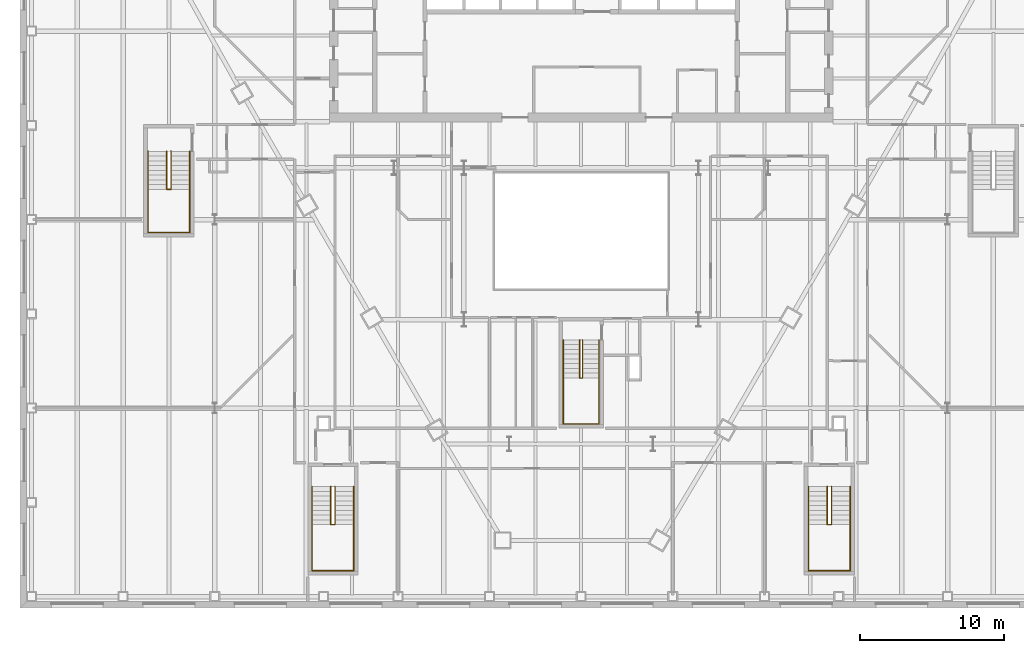
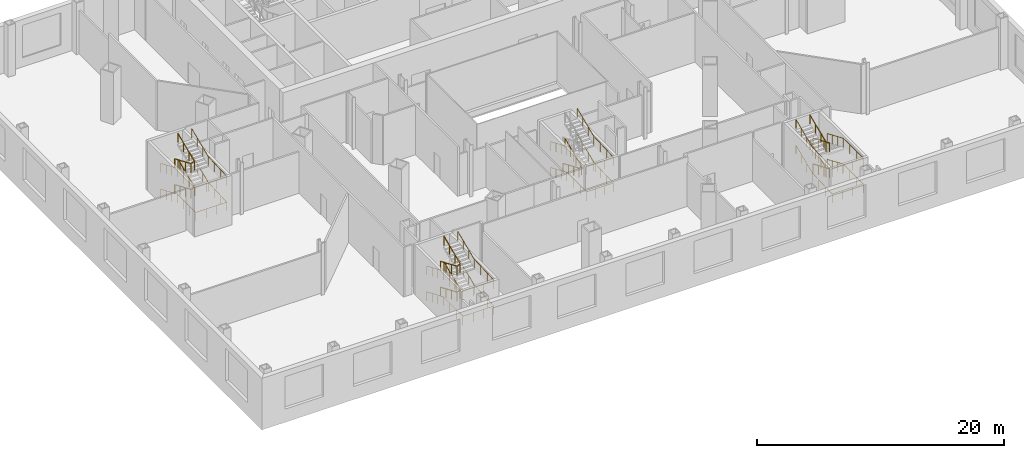
# One storey, part 19 of 20: 15 railings.
"""IFC4 building model written with IfcOpenShell, lengths in metres."""

from ifc_helpers import new_model, si_unit, direction, frame, origin, origin_2d, place, context, subcontext, project, spatial, circle, extrude, material, type_object, element, save


model = new_model("IFC4")

# Units and contexts
model_context = context("Model", 3, precision=1e-05, world=origin(), true_north=direction((0.0, 1.0)))
body_context = subcontext(model_context, "Body", "Model", "MODEL_VIEW")
ifc_project = project(units=[si_unit("LENGTHUNIT", "METRE"), si_unit("AREAUNIT", "SQUARE_METRE"), si_unit("VOLUMEUNIT", "CUBIC_METRE"), si_unit("PLANEANGLEUNIT", "RADIAN"), si_unit("MASSUNIT", "GRAM", prefix="KILO")], contexts=[model_context])

# Site, building, storey
site_placement = place(None, origin())
site = spatial("IfcSite", under=ifc_project, at=site_placement, CompositionType="ELEMENT")
building_placement = place(site_placement, origin())
building = spatial("IfcBuilding", under=site, at=building_placement, Name="Njiva Tower", CompositionType="ELEMENT")
storey_placement = place(building_placement, frame((0.0, 0.0, 18.6)))
storey = spatial("IfcBuildingStorey", under=building, at=storey_placement, Name="L03", CompositionType="ELEMENT", Elevation=18.6)

# Railings
ifc_material = material(Name="Stainless steel", Category="steel")
railing_type = type_object("IfcRailingType", Name="RL1 Stair handrail 900", PredefinedType="HANDRAIL", material=ifc_material)
railing_1_placement = place(storey_placement, frame((-1.25, -15.16, 0.1417)))
element("IfcRailing", 1, at=railing_1_placement, inside=storey, type_object=railing_type, Name="Stair C handrail", PredefinedType="HANDRAIL", context=body_context, shape_type="SweptSolid", body=[
    extrude(circle(Radius=0.024, at=origin_2d()), frame((0.0, 0.0, 0.876), z_axis=(0.0, -0.918909016762, 0.394469541173), x_axis=(1.0, 0.0, 0.0)), (0.0, 0.0, 1.0), 2.873),
    extrude(circle(Radius=0.024, at=origin_2d()), frame((0.0, -2.64, 2.0093), z_axis=(0.0, -1.0, 0.0), x_axis=(1.0, 0.0, 0.0)), (0.0, 0.0, 1.0), 3.2),
    extrude(circle(Radius=0.024, at=origin_2d()), frame((0.0, -5.84, 2.0093), z_axis=(1.0, 0.0, 0.0), x_axis=(0.0, 1.0, 0.0)), (0.0, 0.0, 1.0), 2.5),
    extrude(circle(Radius=0.024, at=origin_2d()), frame((2.5, -5.84, 2.0093), z_axis=(0.0, 0.999021024916, 0.04423789976), x_axis=(-1.0, 0.0, 0.0)), (0.0, 0.0, 1.0), 3.2031),
    extrude(circle(Radius=0.024, at=origin_2d()), frame((2.5, -2.64, 2.151), z_axis=(0.0, 0.918909016762, 0.394469541173), x_axis=(-1.0, 0.0, 0.0)), (0.0, 0.0, 1.0), 2.873),
    extrude(circle(Radius=0.021, at=origin_2d()), origin(), (0.0, 0.0, 1.0), 0.852),
    extrude(circle(Radius=0.021, at=origin_2d()), frame((0.0, -0.88, 0.3778)), (0.0, 0.0, 1.0), 0.852),
    extrude(circle(Radius=0.021, at=origin_2d()), frame((0.0, -1.76, 0.7555)), (0.0, 0.0, 1.0), 0.852),
    extrude(circle(Radius=0.021, at=origin_2d()), frame((0.0, -2.64, 1.1333)), (0.0, 0.0, 1.0), 0.852),
    extrude(circle(Radius=0.021, at=origin_2d()), frame((0.0, -3.7067, 1.1333)), (0.0, 0.0, 1.0), 0.852),
    extrude(circle(Radius=0.021, at=origin_2d()), frame((0.0, -4.7733, 1.1333)), (0.0, 0.0, 1.0), 0.852),
    extrude(circle(Radius=0.021, at=origin_2d()), frame((0.0, -5.84, 1.1333)), (0.0, 0.0, 1.0), 0.852),
    extrude(circle(Radius=0.021, at=origin_2d()), frame((0.8333, -5.84, 1.1333)), (0.0, 0.0, 1.0), 0.852),
    extrude(circle(Radius=0.021, at=origin_2d()), frame((1.6667, -5.84, 1.1333)), (0.0, 0.0, 1.0), 0.852),
    extrude(circle(Radius=0.021, at=origin_2d()), frame((2.5, -5.84, 1.1333)), (0.0, 0.0, 1.0), 0.852),
    extrude(circle(Radius=0.021, at=origin_2d()), frame((2.5, -4.7733, 1.1805)), (0.0, 0.0, 1.0), 0.852),
    extrude(circle(Radius=0.021, at=origin_2d()), frame((2.5, -3.7067, 1.2278)), (0.0, 0.0, 1.0), 0.852),
    extrude(circle(Radius=0.021, at=origin_2d()), frame((2.5, -2.64, 1.275)), (0.0, 0.0, 1.0), 0.852),
    extrude(circle(Radius=0.021, at=origin_2d()), frame((2.5, -1.76, 1.6528)), (0.0, 0.0, 1.0), 0.852),
    extrude(circle(Radius=0.021, at=origin_2d()), frame((2.5, -0.88, 2.0305)), (0.0, 0.0, 1.0), 0.852),
    extrude(circle(Radius=0.021, at=origin_2d()), frame((2.5, 0.0, 2.4083)), (0.0, 0.0, 1.0), 0.852),
])
railing_2_placement = place(storey_placement, frame((-0.1, -15.16, 0.1417)))
element("IfcRailing", 2, at=railing_2_placement, inside=storey, type_object=railing_type, Name="Stair C handrail", PredefinedType="HANDRAIL", context=body_context, shape_type="SweptSolid", body=[
    extrude(circle(Radius=0.024, at=origin_2d()), frame((0.0, 0.0, 0.876), z_axis=(0.0, -0.918909016762, 0.394469541173), x_axis=(1.0, 0.0, 0.0)), (0.0, 0.0, 1.0), 2.873),
    extrude(circle(Radius=0.024, at=origin_2d()), frame((0.0, -2.64, 2.0093), z_axis=(0.815960331218, 0.0, 0.578107894668), x_axis=(0.0, 1.0, 0.0)), (0.0, 0.0, 1.0), 0.2451),
    extrude(circle(Radius=0.024, at=origin_2d()), frame((0.2, -2.64, 2.151), z_axis=(0.0, 0.918909016762, 0.394469541173), x_axis=(-1.0, 0.0, 0.0)), (0.0, 0.0, 1.0), 2.873),
    extrude(circle(Radius=0.021, at=origin_2d()), origin(), (0.0, 0.0, 1.0), 0.852),
    extrude(circle(Radius=0.021, at=origin_2d()), frame((0.0, -0.88, 0.3778)), (0.0, 0.0, 1.0), 0.852),
    extrude(circle(Radius=0.021, at=origin_2d()), frame((0.0, -1.76, 0.7555)), (0.0, 0.0, 1.0), 0.852),
    extrude(circle(Radius=0.021, at=origin_2d()), frame((0.0, -2.64, 1.1333)), (0.0, 0.0, 1.0), 0.852),
    extrude(circle(Radius=0.021, at=origin_2d()), frame((0.2, -2.64, 1.275)), (0.0, 0.0, 1.0), 0.852),
    extrude(circle(Radius=0.021, at=origin_2d()), frame((0.2, -1.76, 1.6528)), (0.0, 0.0, 1.0), 0.852),
    extrude(circle(Radius=0.021, at=origin_2d()), frame((0.2, -0.88, 2.0305)), (0.0, 0.0, 1.0), 0.852),
    extrude(circle(Radius=0.021, at=origin_2d()), frame((0.2, 0.0, 2.4083)), (0.0, 0.0, 1.0), 0.852),
])
railing_3_placement = place(storey_placement, frame((-1.25, -15.16, 2.6917)))
element("IfcRailing", 3, at=railing_3_placement, inside=storey, type_object=railing_type, Name="Stair C handrail", PredefinedType="HANDRAIL", context=body_context, shape_type="SweptSolid", body=[
    extrude(circle(Radius=0.024, at=origin_2d()), frame((0.0, 0.0, 0.876), z_axis=(0.0, -0.918909016762, 0.394469541173), x_axis=(1.0, 0.0, 0.0)), (0.0, 0.0, 1.0), 2.873),
    extrude(circle(Radius=0.024, at=origin_2d()), frame((0.0, -2.64, 2.0093), z_axis=(0.0, -1.0, 0.0), x_axis=(1.0, 0.0, 0.0)), (0.0, 0.0, 1.0), 3.2),
    extrude(circle(Radius=0.024, at=origin_2d()), frame((0.0, -5.84, 2.0093), z_axis=(1.0, 0.0, 0.0), x_axis=(0.0, 1.0, 0.0)), (0.0, 0.0, 1.0), 2.5),
    extrude(circle(Radius=0.024, at=origin_2d()), frame((2.5, -5.84, 2.0093), z_axis=(0.0, 0.999021024916, 0.04423789976), x_axis=(-1.0, 0.0, 0.0)), (0.0, 0.0, 1.0), 3.2031),
    extrude(circle(Radius=0.024, at=origin_2d()), frame((2.5, -2.64, 2.151), z_axis=(0.0, 0.918909016762, 0.394469541173), x_axis=(-1.0, 0.0, 0.0)), (0.0, 0.0, 1.0), 2.873),
    extrude(circle(Radius=0.021, at=origin_2d()), origin(), (0.0, 0.0, 1.0), 0.852),
    extrude(circle(Radius=0.021, at=origin_2d()), frame((0.0, -0.88, 0.3778)), (0.0, 0.0, 1.0), 0.852),
    extrude(circle(Radius=0.021, at=origin_2d()), frame((0.0, -1.76, 0.7555)), (0.0, 0.0, 1.0), 0.852),
    extrude(circle(Radius=0.021, at=origin_2d()), frame((0.0, -2.64, 1.1333)), (0.0, 0.0, 1.0), 0.852),
    extrude(circle(Radius=0.021, at=origin_2d()), frame((0.0, -3.7067, 1.1333)), (0.0, 0.0, 1.0), 0.852),
    extrude(circle(Radius=0.021, at=origin_2d()), frame((0.0, -4.7733, 1.1333)), (0.0, 0.0, 1.0), 0.852),
    extrude(circle(Radius=0.021, at=origin_2d()), frame((0.0, -5.84, 1.1333)), (0.0, 0.0, 1.0), 0.852),
    extrude(circle(Radius=0.021, at=origin_2d()), frame((0.8333, -5.84, 1.1333)), (0.0, 0.0, 1.0), 0.852),
    extrude(circle(Radius=0.021, at=origin_2d()), frame((1.6667, -5.84, 1.1333)), (0.0, 0.0, 1.0), 0.852),
    extrude(circle(Radius=0.021, at=origin_2d()), frame((2.5, -5.84, 1.1333)), (0.0, 0.0, 1.0), 0.852),
    extrude(circle(Radius=0.021, at=origin_2d()), frame((2.5, -4.7733, 1.1805)), (0.0, 0.0, 1.0), 0.852),
    extrude(circle(Radius=0.021, at=origin_2d()), frame((2.5, -3.7067, 1.2278)), (0.0, 0.0, 1.0), 0.852),
    extrude(circle(Radius=0.021, at=origin_2d()), frame((2.5, -2.64, 1.275)), (0.0, 0.0, 1.0), 0.852),
    extrude(circle(Radius=0.021, at=origin_2d()), frame((2.5, -1.76, 1.6528)), (0.0, 0.0, 1.0), 0.852),
    extrude(circle(Radius=0.021, at=origin_2d()), frame((2.5, -0.88, 2.0305)), (0.0, 0.0, 1.0), 0.852),
    extrude(circle(Radius=0.021, at=origin_2d()), frame((2.5, 0.0, 2.4083)), (0.0, 0.0, 1.0), 0.852),
])
railing_4_placement = place(storey_placement, frame((-18.7, -25.35, 0.1417)))
element("IfcRailing", 4, at=railing_4_placement, inside=storey, type_object=railing_type, Name="Stair D handrail", PredefinedType="HANDRAIL", context=body_context, shape_type="SweptSolid", body=[
    extrude(circle(Radius=0.024, at=origin_2d()), frame((0.0, 0.0, 0.876), z_axis=(0.0, -0.918909016762, 0.394469541173), x_axis=(1.0, 0.0, 0.0)), (0.0, 0.0, 1.0), 2.873),
    extrude(circle(Radius=0.024, at=origin_2d()), frame((0.0, -2.64, 2.0093), z_axis=(0.0, -1.0, 0.0), x_axis=(1.0, 0.0, 0.0)), (0.0, 0.0, 1.0), 3.21),
    extrude(circle(Radius=0.024, at=origin_2d()), frame((0.0, -5.85, 2.0093), z_axis=(1.0, 0.0, 0.0), x_axis=(0.0, 1.0, 0.0)), (0.0, 0.0, 1.0), 2.9),
    extrude(circle(Radius=0.024, at=origin_2d()), frame((2.9, -5.85, 2.0093), z_axis=(0.0, 0.999027106064, 0.04410035543), x_axis=(-1.0, 0.0, 0.0)), (0.0, 0.0, 1.0), 3.2131),
    extrude(circle(Radius=0.024, at=origin_2d()), frame((2.9, -2.64, 2.151), z_axis=(0.0, 0.918909016762, 0.394469541173), x_axis=(-1.0, 0.0, 0.0)), (0.0, 0.0, 1.0), 2.873),
    extrude(circle(Radius=0.021, at=origin_2d()), origin(), (0.0, 0.0, 1.0), 0.852),
    extrude(circle(Radius=0.021, at=origin_2d()), frame((0.0, -0.88, 0.3778)), (0.0, 0.0, 1.0), 0.852),
    extrude(circle(Radius=0.021, at=origin_2d()), frame((0.0, -1.76, 0.7555)), (0.0, 0.0, 1.0), 0.852),
    extrude(circle(Radius=0.021, at=origin_2d()), frame((0.0, -2.64, 1.1333)), (0.0, 0.0, 1.0), 0.852),
    extrude(circle(Radius=0.021, at=origin_2d()), frame((0.0, -3.71, 1.1333)), (0.0, 0.0, 1.0), 0.852),
    extrude(circle(Radius=0.021, at=origin_2d()), frame((0.0, -4.78, 1.1333)), (0.0, 0.0, 1.0), 0.852),
    extrude(circle(Radius=0.021, at=origin_2d()), frame((0.0, -5.85, 1.1333)), (0.0, 0.0, 1.0), 0.852),
    extrude(circle(Radius=0.021, at=origin_2d()), frame((0.9667, -5.85, 1.1333)), (0.0, 0.0, 1.0), 0.852),
    extrude(circle(Radius=0.021, at=origin_2d()), frame((1.9333, -5.85, 1.1333)), (0.0, 0.0, 1.0), 0.852),
    extrude(circle(Radius=0.021, at=origin_2d()), frame((2.9, -5.85, 1.1333)), (0.0, 0.0, 1.0), 0.852),
    extrude(circle(Radius=0.021, at=origin_2d()), frame((2.9, -4.78, 1.1805)), (0.0, 0.0, 1.0), 0.852),
    extrude(circle(Radius=0.021, at=origin_2d()), frame((2.9, -3.71, 1.2278)), (0.0, 0.0, 1.0), 0.852),
    extrude(circle(Radius=0.021, at=origin_2d()), frame((2.9, -2.64, 1.275)), (0.0, 0.0, 1.0), 0.852),
    extrude(circle(Radius=0.021, at=origin_2d()), frame((2.9, -1.76, 1.6528)), (0.0, 0.0, 1.0), 0.852),
    extrude(circle(Radius=0.021, at=origin_2d()), frame((2.9, -0.88, 2.0305)), (0.0, 0.0, 1.0), 0.852),
    extrude(circle(Radius=0.021, at=origin_2d()), frame((2.9, 0.0, 2.4083)), (0.0, 0.0, 1.0), 0.852),
])
railing_5_placement = place(storey_placement, frame((-17.4, -25.35, 0.1417)))
element("IfcRailing", 5, at=railing_5_placement, inside=storey, type_object=railing_type, Name="Stair D handrail", PredefinedType="HANDRAIL", context=body_context, shape_type="SweptSolid", body=[
    extrude(circle(Radius=0.024, at=origin_2d()), frame((0.0, 0.0, 0.876), z_axis=(0.0, -0.918909016762, 0.394469541173), x_axis=(1.0, 0.0, 0.0)), (0.0, 0.0, 1.0), 2.873),
    extrude(circle(Radius=0.024, at=origin_2d()), frame((0.0, -2.64, 2.0093), z_axis=(0.904209850415, 0.0, 0.427088452679), x_axis=(0.0, 1.0, 0.0)), (0.0, 0.0, 1.0), 0.3318),
    extrude(circle(Radius=0.024, at=origin_2d()), frame((0.3, -2.64, 2.151), z_axis=(0.0, 0.918909016762, 0.394469541173), x_axis=(-1.0, 0.0, 0.0)), (0.0, 0.0, 1.0), 2.873),
    extrude(circle(Radius=0.021, at=origin_2d()), origin(), (0.0, 0.0, 1.0), 0.852),
    extrude(circle(Radius=0.021, at=origin_2d()), frame((0.0, -0.88, 0.3778)), (0.0, 0.0, 1.0), 0.852),
    extrude(circle(Radius=0.021, at=origin_2d()), frame((0.0, -1.76, 0.7555)), (0.0, 0.0, 1.0), 0.852),
    extrude(circle(Radius=0.021, at=origin_2d()), frame((0.0, -2.64, 1.1333)), (0.0, 0.0, 1.0), 0.852),
    extrude(circle(Radius=0.021, at=origin_2d()), frame((0.3, -2.64, 1.275)), (0.0, 0.0, 1.0), 0.852),
    extrude(circle(Radius=0.021, at=origin_2d()), frame((0.3, -1.76, 1.6528)), (0.0, 0.0, 1.0), 0.852),
    extrude(circle(Radius=0.021, at=origin_2d()), frame((0.3, -0.88, 2.0305)), (0.0, 0.0, 1.0), 0.852),
    extrude(circle(Radius=0.021, at=origin_2d()), frame((0.3, 0.0, 2.4083)), (0.0, 0.0, 1.0), 0.852),
])
railing_6_placement = place(storey_placement, frame((-18.7, -25.35, 2.6917)))
element("IfcRailing", 6, at=railing_6_placement, inside=storey, type_object=railing_type, Name="Stair D handrail", PredefinedType="HANDRAIL", context=body_context, shape_type="SweptSolid", body=[
    extrude(circle(Radius=0.024, at=origin_2d()), frame((0.0, 0.0, 0.876), z_axis=(0.0, -0.918909016762, 0.394469541173), x_axis=(1.0, 0.0, 0.0)), (0.0, 0.0, 1.0), 2.873),
    extrude(circle(Radius=0.024, at=origin_2d()), frame((0.0, -2.64, 2.0093), z_axis=(0.0, -1.0, 0.0), x_axis=(1.0, 0.0, 0.0)), (0.0, 0.0, 1.0), 3.21),
    extrude(circle(Radius=0.024, at=origin_2d()), frame((0.0, -5.85, 2.0093), z_axis=(1.0, 0.0, 0.0), x_axis=(0.0, 1.0, 0.0)), (0.0, 0.0, 1.0), 2.9),
    extrude(circle(Radius=0.024, at=origin_2d()), frame((2.9, -5.85, 2.0093), z_axis=(0.0, 0.999027106064, 0.04410035543), x_axis=(-1.0, 0.0, 0.0)), (0.0, 0.0, 1.0), 3.2131),
    extrude(circle(Radius=0.024, at=origin_2d()), frame((2.9, -2.64, 2.151), z_axis=(0.0, 0.918909016762, 0.394469541173), x_axis=(-1.0, 0.0, 0.0)), (0.0, 0.0, 1.0), 2.873),
    extrude(circle(Radius=0.021, at=origin_2d()), origin(), (0.0, 0.0, 1.0), 0.852),
    extrude(circle(Radius=0.021, at=origin_2d()), frame((0.0, -0.88, 0.3778)), (0.0, 0.0, 1.0), 0.852),
    extrude(circle(Radius=0.021, at=origin_2d()), frame((0.0, -1.76, 0.7555)), (0.0, 0.0, 1.0), 0.852),
    extrude(circle(Radius=0.021, at=origin_2d()), frame((0.0, -2.64, 1.1333)), (0.0, 0.0, 1.0), 0.852),
    extrude(circle(Radius=0.021, at=origin_2d()), frame((0.0, -3.71, 1.1333)), (0.0, 0.0, 1.0), 0.852),
    extrude(circle(Radius=0.021, at=origin_2d()), frame((0.0, -4.78, 1.1333)), (0.0, 0.0, 1.0), 0.852),
    extrude(circle(Radius=0.021, at=origin_2d()), frame((0.0, -5.85, 1.1333)), (0.0, 0.0, 1.0), 0.852),
    extrude(circle(Radius=0.021, at=origin_2d()), frame((0.9667, -5.85, 1.1333)), (0.0, 0.0, 1.0), 0.852),
    extrude(circle(Radius=0.021, at=origin_2d()), frame((1.9333, -5.85, 1.1333)), (0.0, 0.0, 1.0), 0.852),
    extrude(circle(Radius=0.021, at=origin_2d()), frame((2.9, -5.85, 1.1333)), (0.0, 0.0, 1.0), 0.852),
    extrude(circle(Radius=0.021, at=origin_2d()), frame((2.9, -4.78, 1.1805)), (0.0, 0.0, 1.0), 0.852),
    extrude(circle(Radius=0.021, at=origin_2d()), frame((2.9, -3.71, 1.2278)), (0.0, 0.0, 1.0), 0.852),
    extrude(circle(Radius=0.021, at=origin_2d()), frame((2.9, -2.64, 1.275)), (0.0, 0.0, 1.0), 0.852),
    extrude(circle(Radius=0.021, at=origin_2d()), frame((2.9, -1.76, 1.6528)), (0.0, 0.0, 1.0), 0.852),
    extrude(circle(Radius=0.021, at=origin_2d()), frame((2.9, -0.88, 2.0305)), (0.0, 0.0, 1.0), 0.852),
    extrude(circle(Radius=0.021, at=origin_2d()), frame((2.9, 0.0, 2.4083)), (0.0, 0.0, 1.0), 0.852),
])
railing_7_placement = place(storey_placement, frame((-17.4, -25.35, 2.6917)))
element("IfcRailing", 7, at=railing_7_placement, inside=storey, type_object=railing_type, Name="Stair D handrail", PredefinedType="HANDRAIL", context=body_context, shape_type="SweptSolid", body=[
    extrude(circle(Radius=0.024, at=origin_2d()), frame((0.0, 0.0, 0.876), z_axis=(0.0, -0.918909016762, 0.394469541173), x_axis=(1.0, 0.0, 0.0)), (0.0, 0.0, 1.0), 2.873),
    extrude(circle(Radius=0.024, at=origin_2d()), frame((0.0, -2.64, 2.0093), z_axis=(0.904209850415, 0.0, 0.427088452679), x_axis=(0.0, 1.0, 0.0)), (0.0, 0.0, 1.0), 0.3318),
    extrude(circle(Radius=0.024, at=origin_2d()), frame((0.3, -2.64, 2.151), z_axis=(0.0, 0.918909016762, 0.394469541173), x_axis=(-1.0, 0.0, 0.0)), (0.0, 0.0, 1.0), 2.873),
    extrude(circle(Radius=0.021, at=origin_2d()), origin(), (0.0, 0.0, 1.0), 0.852),
    extrude(circle(Radius=0.021, at=origin_2d()), frame((0.0, -0.88, 0.3778)), (0.0, 0.0, 1.0), 0.852),
    extrude(circle(Radius=0.021, at=origin_2d()), frame((0.0, -1.76, 0.7555)), (0.0, 0.0, 1.0), 0.852),
    extrude(circle(Radius=0.021, at=origin_2d()), frame((0.0, -2.64, 1.1333)), (0.0, 0.0, 1.0), 0.852),
    extrude(circle(Radius=0.021, at=origin_2d()), frame((0.3, -2.64, 1.275)), (0.0, 0.0, 1.0), 0.852),
    extrude(circle(Radius=0.021, at=origin_2d()), frame((0.3, -1.76, 1.6528)), (0.0, 0.0, 1.0), 0.852),
    extrude(circle(Radius=0.021, at=origin_2d()), frame((0.3, -0.88, 2.0305)), (0.0, 0.0, 1.0), 0.852),
    extrude(circle(Radius=0.021, at=origin_2d()), frame((0.3, 0.0, 2.4083)), (0.0, 0.0, 1.0), 0.852),
])
railing_8_placement = place(storey_placement, frame((18.7, -25.35, 0.1417)))
element("IfcRailing", 8, at=railing_8_placement, inside=storey, type_object=railing_type, Name="Stair E handrail", PredefinedType="HANDRAIL", context=body_context, shape_type="SweptSolid", body=[
    extrude(circle(Radius=0.024, at=origin_2d()), frame((0.0, 0.0, 0.876), z_axis=(0.0, -0.918909016762, 0.394469541173), x_axis=(1.0, 0.0, 0.0)), (0.0, 0.0, 1.0), 2.873),
    extrude(circle(Radius=0.024, at=origin_2d()), frame((0.0, -2.64, 2.0093), z_axis=(0.0, -1.0, 0.0), x_axis=(1.0, 0.0, 0.0)), (0.0, 0.0, 1.0), 3.21),
    extrude(circle(Radius=0.024, at=origin_2d()), frame((0.0, -5.85, 2.0093), z_axis=(-1.0, 0.0, 0.0), x_axis=(0.0, -1.0, 0.0)), (0.0, 0.0, 1.0), 2.9),
    extrude(circle(Radius=0.024, at=origin_2d()), frame((-2.9, -5.85, 2.0093), z_axis=(0.0, 0.999027106064, 0.04410035543), x_axis=(-1.0, 0.0, 0.0)), (0.0, 0.0, 1.0), 3.2131),
    extrude(circle(Radius=0.024, at=origin_2d()), frame((-2.9, -2.64, 2.151), z_axis=(0.0, 0.918909016762, 0.394469541173), x_axis=(-1.0, 0.0, 0.0)), (0.0, 0.0, 1.0), 2.873),
    extrude(circle(Radius=0.021, at=origin_2d()), origin(), (0.0, 0.0, 1.0), 0.852),
    extrude(circle(Radius=0.021, at=origin_2d()), frame((0.0, -0.88, 0.3778)), (0.0, 0.0, 1.0), 0.852),
    extrude(circle(Radius=0.021, at=origin_2d()), frame((0.0, -1.76, 0.7555)), (0.0, 0.0, 1.0), 0.852),
    extrude(circle(Radius=0.021, at=origin_2d()), frame((0.0, -2.64, 1.1333)), (0.0, 0.0, 1.0), 0.852),
    extrude(circle(Radius=0.021, at=origin_2d()), frame((0.0, -3.71, 1.1333)), (0.0, 0.0, 1.0), 0.852),
    extrude(circle(Radius=0.021, at=origin_2d()), frame((0.0, -4.78, 1.1333)), (0.0, 0.0, 1.0), 0.852),
    extrude(circle(Radius=0.021, at=origin_2d()), frame((0.0, -5.85, 1.1333)), (0.0, 0.0, 1.0), 0.852),
    extrude(circle(Radius=0.021, at=origin_2d()), frame((-0.9667, -5.85, 1.1333)), (0.0, 0.0, 1.0), 0.852),
    extrude(circle(Radius=0.021, at=origin_2d()), frame((-1.9333, -5.85, 1.1333)), (0.0, 0.0, 1.0), 0.852),
    extrude(circle(Radius=0.021, at=origin_2d()), frame((-2.9, -5.85, 1.1333)), (0.0, 0.0, 1.0), 0.852),
    extrude(circle(Radius=0.021, at=origin_2d()), frame((-2.9, -4.78, 1.1805)), (0.0, 0.0, 1.0), 0.852),
    extrude(circle(Radius=0.021, at=origin_2d()), frame((-2.9, -3.71, 1.2278)), (0.0, 0.0, 1.0), 0.852),
    extrude(circle(Radius=0.021, at=origin_2d()), frame((-2.9, -2.64, 1.275)), (0.0, 0.0, 1.0), 0.852),
    extrude(circle(Radius=0.021, at=origin_2d()), frame((-2.9, -1.76, 1.6528)), (0.0, 0.0, 1.0), 0.852),
    extrude(circle(Radius=0.021, at=origin_2d()), frame((-2.9, -0.88, 2.0305)), (0.0, 0.0, 1.0), 0.852),
    extrude(circle(Radius=0.021, at=origin_2d()), frame((-2.9, 0.0, 2.4083)), (0.0, 0.0, 1.0), 0.852),
])
railing_9_placement = place(storey_placement, frame((17.4, -25.35, 0.1417)))
element("IfcRailing", 9, at=railing_9_placement, inside=storey, type_object=railing_type, Name="Stair E handrail", PredefinedType="HANDRAIL", context=body_context, shape_type="SweptSolid", body=[
    extrude(circle(Radius=0.024, at=origin_2d()), frame((0.0, 0.0, 0.876), z_axis=(0.0, -0.918909016762, 0.394469541173), x_axis=(1.0, 0.0, 0.0)), (0.0, 0.0, 1.0), 2.873),
    extrude(circle(Radius=0.024, at=origin_2d()), frame((0.0, -2.64, 2.0093), z_axis=(-0.904209850415, 0.0, 0.427088452679), x_axis=(0.0, -1.0, 0.0)), (0.0, 0.0, 1.0), 0.3318),
    extrude(circle(Radius=0.024, at=origin_2d()), frame((-0.3, -2.64, 2.151), z_axis=(0.0, 0.918909016762, 0.394469541173), x_axis=(-1.0, 0.0, 0.0)), (0.0, 0.0, 1.0), 2.873),
    extrude(circle(Radius=0.021, at=origin_2d()), origin(), (0.0, 0.0, 1.0), 0.852),
    extrude(circle(Radius=0.021, at=origin_2d()), frame((0.0, -0.88, 0.3778)), (0.0, 0.0, 1.0), 0.852),
    extrude(circle(Radius=0.021, at=origin_2d()), frame((0.0, -1.76, 0.7555)), (0.0, 0.0, 1.0), 0.852),
    extrude(circle(Radius=0.021, at=origin_2d()), frame((0.0, -2.64, 1.1333)), (0.0, 0.0, 1.0), 0.852),
    extrude(circle(Radius=0.021, at=origin_2d()), frame((-0.3, -2.64, 1.275)), (0.0, 0.0, 1.0), 0.852),
    extrude(circle(Radius=0.021, at=origin_2d()), frame((-0.3, -1.76, 1.6528)), (0.0, 0.0, 1.0), 0.852),
    extrude(circle(Radius=0.021, at=origin_2d()), frame((-0.3, -0.88, 2.0305)), (0.0, 0.0, 1.0), 0.852),
    extrude(circle(Radius=0.021, at=origin_2d()), frame((-0.3, 0.0, 2.4083)), (0.0, 0.0, 1.0), 0.852),
])
railing_10_placement = place(storey_placement, frame((18.7, -25.35, 2.6917)))
element("IfcRailing", 10, at=railing_10_placement, inside=storey, type_object=railing_type, Name="Stair E handrail", PredefinedType="HANDRAIL", context=body_context, shape_type="SweptSolid", body=[
    extrude(circle(Radius=0.024, at=origin_2d()), frame((0.0, 0.0, 0.876), z_axis=(0.0, -0.918909016762, 0.394469541173), x_axis=(1.0, 0.0, 0.0)), (0.0, 0.0, 1.0), 2.873),
    extrude(circle(Radius=0.024, at=origin_2d()), frame((0.0, -2.64, 2.0093), z_axis=(0.0, -1.0, 0.0), x_axis=(1.0, 0.0, 0.0)), (0.0, 0.0, 1.0), 3.21),
    extrude(circle(Radius=0.024, at=origin_2d()), frame((0.0, -5.85, 2.0093), z_axis=(-1.0, 0.0, 0.0), x_axis=(0.0, -1.0, 0.0)), (0.0, 0.0, 1.0), 2.9),
    extrude(circle(Radius=0.024, at=origin_2d()), frame((-2.9, -5.85, 2.0093), z_axis=(0.0, 0.999027106064, 0.04410035543), x_axis=(-1.0, 0.0, 0.0)), (0.0, 0.0, 1.0), 3.2131),
    extrude(circle(Radius=0.024, at=origin_2d()), frame((-2.9, -2.64, 2.151), z_axis=(0.0, 0.918909016762, 0.394469541173), x_axis=(-1.0, 0.0, 0.0)), (0.0, 0.0, 1.0), 2.873),
    extrude(circle(Radius=0.021, at=origin_2d()), origin(), (0.0, 0.0, 1.0), 0.852),
    extrude(circle(Radius=0.021, at=origin_2d()), frame((0.0, -0.88, 0.3778)), (0.0, 0.0, 1.0), 0.852),
    extrude(circle(Radius=0.021, at=origin_2d()), frame((0.0, -1.76, 0.7555)), (0.0, 0.0, 1.0), 0.852),
    extrude(circle(Radius=0.021, at=origin_2d()), frame((0.0, -2.64, 1.1333)), (0.0, 0.0, 1.0), 0.852),
    extrude(circle(Radius=0.021, at=origin_2d()), frame((0.0, -3.71, 1.1333)), (0.0, 0.0, 1.0), 0.852),
    extrude(circle(Radius=0.021, at=origin_2d()), frame((0.0, -4.78, 1.1333)), (0.0, 0.0, 1.0), 0.852),
    extrude(circle(Radius=0.021, at=origin_2d()), frame((0.0, -5.85, 1.1333)), (0.0, 0.0, 1.0), 0.852),
    extrude(circle(Radius=0.021, at=origin_2d()), frame((-0.9667, -5.85, 1.1333)), (0.0, 0.0, 1.0), 0.852),
    extrude(circle(Radius=0.021, at=origin_2d()), frame((-1.9333, -5.85, 1.1333)), (0.0, 0.0, 1.0), 0.852),
    extrude(circle(Radius=0.021, at=origin_2d()), frame((-2.9, -5.85, 1.1333)), (0.0, 0.0, 1.0), 0.852),
    extrude(circle(Radius=0.021, at=origin_2d()), frame((-2.9, -4.78, 1.1805)), (0.0, 0.0, 1.0), 0.852),
    extrude(circle(Radius=0.021, at=origin_2d()), frame((-2.9, -3.71, 1.2278)), (0.0, 0.0, 1.0), 0.852),
    extrude(circle(Radius=0.021, at=origin_2d()), frame((-2.9, -2.64, 1.275)), (0.0, 0.0, 1.0), 0.852),
    extrude(circle(Radius=0.021, at=origin_2d()), frame((-2.9, -1.76, 1.6528)), (0.0, 0.0, 1.0), 0.852),
    extrude(circle(Radius=0.021, at=origin_2d()), frame((-2.9, -0.88, 2.0305)), (0.0, 0.0, 1.0), 0.852),
    extrude(circle(Radius=0.021, at=origin_2d()), frame((-2.9, 0.0, 2.4083)), (0.0, 0.0, 1.0), 0.852),
])
railing_11_placement = place(storey_placement, frame((17.4, -25.35, 2.6917)))
element("IfcRailing", 11, at=railing_11_placement, inside=storey, type_object=railing_type, Name="Stair E handrail", PredefinedType="HANDRAIL", context=body_context, shape_type="SweptSolid", body=[
    extrude(circle(Radius=0.024, at=origin_2d()), frame((0.0, 0.0, 0.876), z_axis=(0.0, -0.918909016762, 0.394469541173), x_axis=(1.0, 0.0, 0.0)), (0.0, 0.0, 1.0), 2.873),
    extrude(circle(Radius=0.024, at=origin_2d()), frame((0.0, -2.64, 2.0093), z_axis=(-0.904209850415, 0.0, 0.427088452679), x_axis=(0.0, -1.0, 0.0)), (0.0, 0.0, 1.0), 0.3318),
    extrude(circle(Radius=0.024, at=origin_2d()), frame((-0.3, -2.64, 2.151), z_axis=(0.0, 0.918909016762, 0.394469541173), x_axis=(-1.0, 0.0, 0.0)), (0.0, 0.0, 1.0), 2.873),
    extrude(circle(Radius=0.021, at=origin_2d()), origin(), (0.0, 0.0, 1.0), 0.852),
    extrude(circle(Radius=0.021, at=origin_2d()), frame((0.0, -0.88, 0.3778)), (0.0, 0.0, 1.0), 0.852),
    extrude(circle(Radius=0.021, at=origin_2d()), frame((0.0, -1.76, 0.7555)), (0.0, 0.0, 1.0), 0.852),
    extrude(circle(Radius=0.021, at=origin_2d()), frame((0.0, -2.64, 1.1333)), (0.0, 0.0, 1.0), 0.852),
    extrude(circle(Radius=0.021, at=origin_2d()), frame((-0.3, -2.64, 1.275)), (0.0, 0.0, 1.0), 0.852),
    extrude(circle(Radius=0.021, at=origin_2d()), frame((-0.3, -1.76, 1.6528)), (0.0, 0.0, 1.0), 0.852),
    extrude(circle(Radius=0.021, at=origin_2d()), frame((-0.3, -0.88, 2.0305)), (0.0, 0.0, 1.0), 0.852),
    extrude(circle(Radius=0.021, at=origin_2d()), frame((-0.3, 0.0, 2.4083)), (0.0, 0.0, 1.0), 0.852),
])
railing_12_placement = place(storey_placement, frame((-30.1, -2.05, 0.1417)))
element("IfcRailing", 12, at=railing_12_placement, inside=storey, type_object=railing_type, Name="Stair F handrail", PredefinedType="HANDRAIL", context=body_context, shape_type="SweptSolid", body=[
    extrude(circle(Radius=0.024, at=origin_2d()), frame((0.0, 0.0, 0.876), z_axis=(0.0, -0.918909016762, 0.394469541173), x_axis=(1.0, 0.0, 0.0)), (0.0, 0.0, 1.0), 2.873),
    extrude(circle(Radius=0.024, at=origin_2d()), frame((0.0, -2.64, 2.0093), z_axis=(0.0, -1.0, 0.0), x_axis=(1.0, 0.0, 0.0)), (0.0, 0.0, 1.0), 3.01),
    extrude(circle(Radius=0.024, at=origin_2d()), frame((0.0, -5.65, 2.0093), z_axis=(1.0, 0.0, 0.0), x_axis=(0.0, 1.0, 0.0)), (0.0, 0.0, 1.0), 2.9),
    extrude(circle(Radius=0.024, at=origin_2d()), frame((2.9, -5.65, 2.0093), z_axis=(0.0, 0.998893744133, 0.047024333403), x_axis=(-1.0, 0.0, 0.0)), (0.0, 0.0, 1.0), 3.0133),
    extrude(circle(Radius=0.024, at=origin_2d()), frame((2.9, -2.64, 2.151), z_axis=(0.0, 0.918909016762, 0.394469541173), x_axis=(-1.0, 0.0, 0.0)), (0.0, 0.0, 1.0), 2.873),
    extrude(circle(Radius=0.021, at=origin_2d()), origin(), (0.0, 0.0, 1.0), 0.852),
    extrude(circle(Radius=0.021, at=origin_2d()), frame((0.0, -0.88, 0.3778)), (0.0, 0.0, 1.0), 0.852),
    extrude(circle(Radius=0.021, at=origin_2d()), frame((0.0, -1.76, 0.7555)), (0.0, 0.0, 1.0), 0.852),
    extrude(circle(Radius=0.021, at=origin_2d()), frame((0.0, -2.64, 1.1333)), (0.0, 0.0, 1.0), 0.852),
    extrude(circle(Radius=0.021, at=origin_2d()), frame((0.0, -3.6433, 1.1333)), (0.0, 0.0, 1.0), 0.852),
    extrude(circle(Radius=0.021, at=origin_2d()), frame((0.0, -4.6467, 1.1333)), (0.0, 0.0, 1.0), 0.852),
    extrude(circle(Radius=0.021, at=origin_2d()), frame((0.0, -5.65, 1.1333)), (0.0, 0.0, 1.0), 0.852),
    extrude(circle(Radius=0.021, at=origin_2d()), frame((0.9667, -5.65, 1.1333)), (0.0, 0.0, 1.0), 0.852),
    extrude(circle(Radius=0.021, at=origin_2d()), frame((1.9333, -5.65, 1.1333)), (0.0, 0.0, 1.0), 0.852),
    extrude(circle(Radius=0.021, at=origin_2d()), frame((2.9, -5.65, 1.1333)), (0.0, 0.0, 1.0), 0.852),
    extrude(circle(Radius=0.021, at=origin_2d()), frame((2.9, -4.6467, 1.1805)), (0.0, 0.0, 1.0), 0.852),
    extrude(circle(Radius=0.021, at=origin_2d()), frame((2.9, -3.6433, 1.2278)), (0.0, 0.0, 1.0), 0.852),
    extrude(circle(Radius=0.021, at=origin_2d()), frame((2.9, -2.64, 1.275)), (0.0, 0.0, 1.0), 0.852),
    extrude(circle(Radius=0.021, at=origin_2d()), frame((2.9, -1.76, 1.6528)), (0.0, 0.0, 1.0), 0.852),
    extrude(circle(Radius=0.021, at=origin_2d()), frame((2.9, -0.88, 2.0305)), (0.0, 0.0, 1.0), 0.852),
    extrude(circle(Radius=0.021, at=origin_2d()), frame((2.9, 0.0, 2.4083)), (0.0, 0.0, 1.0), 0.852),
])
railing_13_placement = place(storey_placement, frame((-28.8, -2.05, 0.1417)))
element("IfcRailing", 13, at=railing_13_placement, inside=storey, type_object=railing_type, Name="Stair F handrail", PredefinedType="HANDRAIL", context=body_context, shape_type="SweptSolid", body=[
    extrude(circle(Radius=0.024, at=origin_2d()), frame((0.0, 0.0, 0.876), z_axis=(0.0, -0.918909016762, 0.394469541173), x_axis=(1.0, 0.0, 0.0)), (0.0, 0.0, 1.0), 2.873),
    extrude(circle(Radius=0.024, at=origin_2d()), frame((0.0, -2.64, 2.0093), z_axis=(0.904209850415, 0.0, 0.427088452679), x_axis=(0.0, 1.0, 0.0)), (0.0, 0.0, 1.0), 0.3318),
    extrude(circle(Radius=0.024, at=origin_2d()), frame((0.3, -2.64, 2.151), z_axis=(0.0, 0.918909016762, 0.394469541173), x_axis=(-1.0, 0.0, 0.0)), (0.0, 0.0, 1.0), 2.873),
    extrude(circle(Radius=0.021, at=origin_2d()), origin(), (0.0, 0.0, 1.0), 0.852),
    extrude(circle(Radius=0.021, at=origin_2d()), frame((0.0, -0.88, 0.3778)), (0.0, 0.0, 1.0), 0.852),
    extrude(circle(Radius=0.021, at=origin_2d()), frame((0.0, -1.76, 0.7555)), (0.0, 0.0, 1.0), 0.852),
    extrude(circle(Radius=0.021, at=origin_2d()), frame((0.0, -2.64, 1.1333)), (0.0, 0.0, 1.0), 0.852),
    extrude(circle(Radius=0.021, at=origin_2d()), frame((0.3, -2.64, 1.275)), (0.0, 0.0, 1.0), 0.852),
    extrude(circle(Radius=0.021, at=origin_2d()), frame((0.3, -1.76, 1.6528)), (0.0, 0.0, 1.0), 0.852),
    extrude(circle(Radius=0.021, at=origin_2d()), frame((0.3, -0.88, 2.0305)), (0.0, 0.0, 1.0), 0.852),
    extrude(circle(Radius=0.021, at=origin_2d()), frame((0.3, 0.0, 2.4083)), (0.0, 0.0, 1.0), 0.852),
])
railing_14_placement = place(storey_placement, frame((-30.1, -2.05, 2.6917)))
element("IfcRailing", 14, at=railing_14_placement, inside=storey, type_object=railing_type, Name="Stair F handrail", PredefinedType="HANDRAIL", context=body_context, shape_type="SweptSolid", body=[
    extrude(circle(Radius=0.024, at=origin_2d()), frame((0.0, 0.0, 0.876), z_axis=(0.0, -0.918909016762, 0.394469541173), x_axis=(1.0, 0.0, 0.0)), (0.0, 0.0, 1.0), 2.873),
    extrude(circle(Radius=0.024, at=origin_2d()), frame((0.0, -2.64, 2.0093), z_axis=(0.0, -1.0, 0.0), x_axis=(1.0, 0.0, 0.0)), (0.0, 0.0, 1.0), 3.01),
    extrude(circle(Radius=0.024, at=origin_2d()), frame((0.0, -5.65, 2.0093), z_axis=(1.0, 0.0, 0.0), x_axis=(0.0, 1.0, 0.0)), (0.0, 0.0, 1.0), 2.9),
    extrude(circle(Radius=0.024, at=origin_2d()), frame((2.9, -5.65, 2.0093), z_axis=(0.0, 0.998893744133, 0.047024333403), x_axis=(-1.0, 0.0, 0.0)), (0.0, 0.0, 1.0), 3.0133),
    extrude(circle(Radius=0.024, at=origin_2d()), frame((2.9, -2.64, 2.151), z_axis=(0.0, 0.918909016762, 0.394469541173), x_axis=(-1.0, 0.0, 0.0)), (0.0, 0.0, 1.0), 2.873),
    extrude(circle(Radius=0.021, at=origin_2d()), origin(), (0.0, 0.0, 1.0), 0.852),
    extrude(circle(Radius=0.021, at=origin_2d()), frame((0.0, -0.88, 0.3778)), (0.0, 0.0, 1.0), 0.852),
    extrude(circle(Radius=0.021, at=origin_2d()), frame((0.0, -1.76, 0.7555)), (0.0, 0.0, 1.0), 0.852),
    extrude(circle(Radius=0.021, at=origin_2d()), frame((0.0, -2.64, 1.1333)), (0.0, 0.0, 1.0), 0.852),
    extrude(circle(Radius=0.021, at=origin_2d()), frame((0.0, -3.6433, 1.1333)), (0.0, 0.0, 1.0), 0.852),
    extrude(circle(Radius=0.021, at=origin_2d()), frame((0.0, -4.6467, 1.1333)), (0.0, 0.0, 1.0), 0.852),
    extrude(circle(Radius=0.021, at=origin_2d()), frame((0.0, -5.65, 1.1333)), (0.0, 0.0, 1.0), 0.852),
    extrude(circle(Radius=0.021, at=origin_2d()), frame((0.9667, -5.65, 1.1333)), (0.0, 0.0, 1.0), 0.852),
    extrude(circle(Radius=0.021, at=origin_2d()), frame((1.9333, -5.65, 1.1333)), (0.0, 0.0, 1.0), 0.852),
    extrude(circle(Radius=0.021, at=origin_2d()), frame((2.9, -5.65, 1.1333)), (0.0, 0.0, 1.0), 0.852),
    extrude(circle(Radius=0.021, at=origin_2d()), frame((2.9, -4.6467, 1.1805)), (0.0, 0.0, 1.0), 0.852),
    extrude(circle(Radius=0.021, at=origin_2d()), frame((2.9, -3.6433, 1.2278)), (0.0, 0.0, 1.0), 0.852),
    extrude(circle(Radius=0.021, at=origin_2d()), frame((2.9, -2.64, 1.275)), (0.0, 0.0, 1.0), 0.852),
    extrude(circle(Radius=0.021, at=origin_2d()), frame((2.9, -1.76, 1.6528)), (0.0, 0.0, 1.0), 0.852),
    extrude(circle(Radius=0.021, at=origin_2d()), frame((2.9, -0.88, 2.0305)), (0.0, 0.0, 1.0), 0.852),
    extrude(circle(Radius=0.021, at=origin_2d()), frame((2.9, 0.0, 2.4083)), (0.0, 0.0, 1.0), 0.852),
])
railing_15_placement = place(storey_placement, frame((-28.8, -2.05, 2.6917)))
element("IfcRailing", 15, at=railing_15_placement, inside=storey, type_object=railing_type, Name="Stair F handrail", PredefinedType="HANDRAIL", context=body_context, shape_type="SweptSolid", body=[
    extrude(circle(Radius=0.024, at=origin_2d()), frame((0.0, 0.0, 0.876), z_axis=(0.0, -0.918909016762, 0.394469541173), x_axis=(1.0, 0.0, 0.0)), (0.0, 0.0, 1.0), 2.873),
    extrude(circle(Radius=0.024, at=origin_2d()), frame((0.0, -2.64, 2.0093), z_axis=(0.904209850415, 0.0, 0.427088452679), x_axis=(0.0, 1.0, 0.0)), (0.0, 0.0, 1.0), 0.3318),
    extrude(circle(Radius=0.024, at=origin_2d()), frame((0.3, -2.64, 2.151), z_axis=(0.0, 0.918909016762, 0.394469541173), x_axis=(-1.0, 0.0, 0.0)), (0.0, 0.0, 1.0), 2.873),
    extrude(circle(Radius=0.021, at=origin_2d()), origin(), (0.0, 0.0, 1.0), 0.852),
    extrude(circle(Radius=0.021, at=origin_2d()), frame((0.0, -0.88, 0.3778)), (0.0, 0.0, 1.0), 0.852),
    extrude(circle(Radius=0.021, at=origin_2d()), frame((0.0, -1.76, 0.7555)), (0.0, 0.0, 1.0), 0.852),
    extrude(circle(Radius=0.021, at=origin_2d()), frame((0.0, -2.64, 1.1333)), (0.0, 0.0, 1.0), 0.852),
    extrude(circle(Radius=0.021, at=origin_2d()), frame((0.3, -2.64, 1.275)), (0.0, 0.0, 1.0), 0.852),
    extrude(circle(Radius=0.021, at=origin_2d()), frame((0.3, -1.76, 1.6528)), (0.0, 0.0, 1.0), 0.852),
    extrude(circle(Radius=0.021, at=origin_2d()), frame((0.3, -0.88, 2.0305)), (0.0, 0.0, 1.0), 0.852),
    extrude(circle(Radius=0.021, at=origin_2d()), frame((0.3, 0.0, 2.4083)), (0.0, 0.0, 1.0), 0.852),
])

save(model, "model.ifc")
